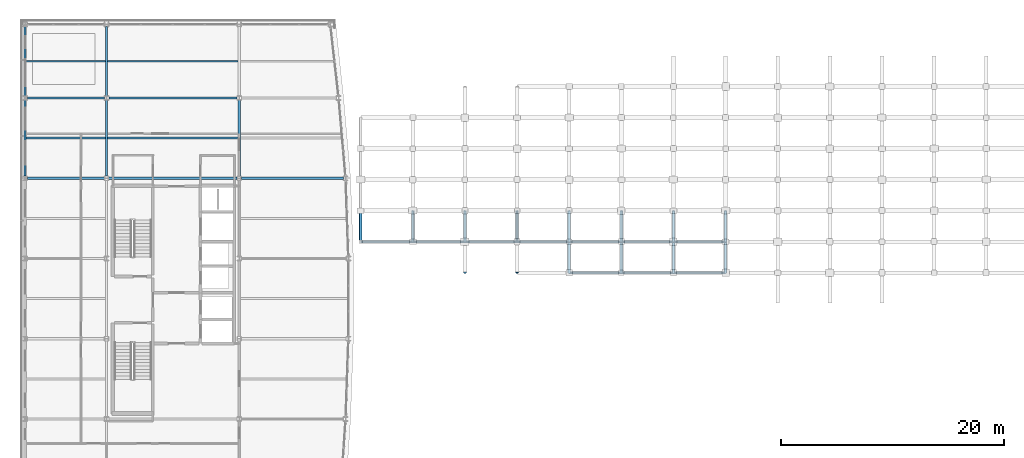
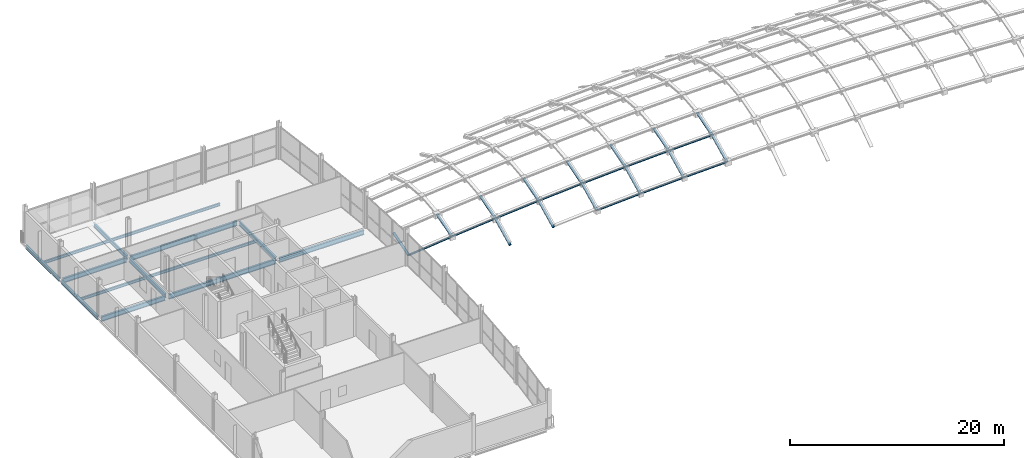
# One storey, part 11 of 36: 28 beams, 10 members.
"""IFC4 building model written with IfcOpenShell, lengths in metres."""

from ifc_helpers import new_model, si_unit, direction, frame, origin, origin_2d, place, context, subcontext, project, spatial, hollow_circle, i_section, extrude, material, material_profile, profile_set, type_object, element, save


model = new_model("IFC4")

# Units and contexts
model_context = context("Model", 3, precision=1e-05, world=origin(), true_north=direction((0.0, 1.0)))
body_context = subcontext(model_context, "Body", "Model", "MODEL_VIEW")
ifc_project = project(units=[si_unit("LENGTHUNIT", "METRE"), si_unit("AREAUNIT", "SQUARE_METRE"), si_unit("VOLUMEUNIT", "CUBIC_METRE"), si_unit("PLANEANGLEUNIT", "RADIAN"), si_unit("MASSUNIT", "GRAM", prefix="KILO")], contexts=[model_context])

# Site, building, storey
site_placement = place(None, origin())
site = spatial("IfcSite", under=ifc_project, at=site_placement, CompositionType="ELEMENT")
building_placement = place(site_placement, origin())
building = spatial("IfcBuilding", under=site, at=building_placement, Name="Quillay Park Conservatory", CompositionType="ELEMENT")
storey_placement = place(building_placement, frame((0.0, 0.0, 18.300048828125)))
storey = spatial("IfcBuildingStorey", under=building, at=storey_placement, Name="L04", CompositionType="ELEMENT", Elevation=18.300048828125)

# Beams
ifc_material_1 = material(Name="Steel ASTM A992 Grade 50", Category="steel")
ifc_material_profile_1 = material_profile(ifc_material_1, i_section(OverallWidth=0.166015625, OverallDepth=0.31298828125, WebThickness=0.006591796875, FlangeThickness=0.01123046875, FilletRadius=0.010009765625, at=origin_2d()), Name="W310x45")
ifc_profile_set_1 = profile_set([ifc_material_profile_1], Name="Steel ASTM A992 Grade 50")
beam_type_1 = type_object("IfcBeamType", Name="COMPOSITE FLOOR JOIST W310 X45", PredefinedType="JOIST", material=ifc_profile_set_1)
beam_1_placement = place(storey_placement, frame((0.639892578125, 103.199951171875, -0.3564453125), z_axis=(1.0, 0.0, 0.0), x_axis=(0.0, 1.0, 0.0)))
element("IfcBeam", 1, at=beam_1_placement, inside=storey, type_object=beam_type_1, Name="L04 beam BM-J-0370", PredefinedType="JOIST", context=body_context, shape_type="SweptSolid", body=[
    extrude(i_section(OverallWidth=0.166015625, OverallDepth=0.31298828125, WebThickness=0.006591796875, FlangeThickness=0.01123046875, FilletRadius=0.010009765625, at=origin_2d()), origin(), (0.0, 0.0, 1.0), 7.114013671875),
])
beam_2_placement = place(storey_placement, frame((7.946044921875, 103.199951171875, -0.3564453125), z_axis=(1.0, 0.0, 0.0), x_axis=(0.0, 1.0, 0.0)))
element("IfcBeam", 2, at=beam_2_placement, inside=storey, type_object=beam_type_1, Name="L04 beam BM-J-0372", PredefinedType="JOIST", context=body_context, shape_type="SweptSolid", body=[
    extrude(i_section(OverallWidth=0.166015625, OverallDepth=0.31298828125, WebThickness=0.006591796875, FlangeThickness=0.01123046875, FilletRadius=0.010009765625, at=origin_2d()), origin(), (0.0, 0.0, 1.0), 11.7080078125),
])
beam_3_placement = place(storey_placement, frame((0.639892578125, 110.10009765625, -0.3564453125), z_axis=(1.0, 0.0, 0.0), x_axis=(0.0, 1.0, 0.0)))
element("IfcBeam", 3, at=beam_3_placement, inside=storey, type_object=beam_type_1, Name="L04 beam BM-J-0377", PredefinedType="JOIST", context=body_context, shape_type="SweptSolid", body=[
    extrude(i_section(OverallWidth=0.166015625, OverallDepth=0.31298828125, WebThickness=0.006591796875, FlangeThickness=0.01123046875, FilletRadius=0.010009765625, at=origin_2d()), origin(), (0.0, 0.0, 1.0), 7.114013671875),
])
beam_4_placement = place(storey_placement, frame((7.946044921875, 110.10009765625, -0.3564453125), z_axis=(1.0, 0.0, 0.0), x_axis=(0.0, 1.0, 0.0)))
element("IfcBeam", 4, at=beam_4_placement, inside=storey, type_object=beam_type_1, Name="L04 beam BM-J-0379", PredefinedType="JOIST", context=body_context, shape_type="SweptSolid", body=[
    extrude(i_section(OverallWidth=0.166015625, OverallDepth=0.31298828125, WebThickness=0.006591796875, FlangeThickness=0.01123046875, FilletRadius=0.010009765625, at=origin_2d()), origin(), (0.0, 0.0, 1.0), 11.7080078125),
])
ifc_material_2 = material(Name="Steel S355J2H", Category="steel")
ifc_material_profile_2 = material_profile(ifc_material_2, hollow_circle(Radius=0.136474609375, WallThickness=0.012451171875, at=origin_2d()), Name="CHS273x12.5")
ifc_profile_set_2 = profile_set([ifc_material_profile_2], Name="Steel S355J2H")
beam_type_2 = type_object("IfcBeamType", Name="GRIDSHELL ARCH BEAM CHS273", PredefinedType="USERDEFINED", material=ifc_profile_set_2)
for number, where, z_axis, x_axis, name in (
    (5, (30.64990234375, 93.905029296875, -0.20751953125), (0.0, 0.958151638199, 0.286261136406), (-1.0, 0.0, 0.0), "Gridshell member GS-ARCH-00-03"),
    (6, (35.327880859375, 93.905029296875, 0.28857421875), (0.0, 0.958151638199, 0.286261136406), (-1.0, 0.0, 0.0), "Gridshell member GS-ARCH-01-03"),
):
    element("IfcBeam", number, at=place(storey_placement, frame(where, z_axis=z_axis, x_axis=x_axis)), inside=storey, type_object=beam_type_2, Name=name, ObjectType="GRIDSHELL ARCH BEAM", PredefinedType="USERDEFINED", context=body_context, shape_type="SweptSolid", body=[
        extrude(hollow_circle(Radius=0.136474609375, WallThickness=0.012451171875, at=origin_2d()), origin(), (0.0, 0.0, 1.0), 2.906494140625),
    ])
beam_5_placement = place(storey_placement, frame((40.005615234375, 91.1201171875, -0.64501953125), z_axis=(0.0, 0.897163004175, 0.441699608262), x_axis=(-1.0, 0.0, 0.0)))
element("IfcBeam", 7, at=beam_5_placement, inside=storey, type_object=beam_type_2, Name="Gridshell member GS-ARCH-02-02", ObjectType="GRIDSHELL ARCH BEAM", PredefinedType="USERDEFINED", context=body_context, shape_type="SweptSolid", body=[
    extrude(hollow_circle(Radius=0.136474609375, WallThickness=0.012451171875, at=origin_2d()), origin(), (0.0, 0.0, 1.0), 3.104248046875),
])
beam_6_placement = place(storey_placement, frame((40.005615234375, 93.905029296875, 0.72607421875), z_axis=(0.0, 0.958151638199, 0.286261136406), x_axis=(-1.0, 0.0, 0.0)))
element("IfcBeam", 8, at=beam_6_placement, inside=storey, type_object=beam_type_2, Name="Gridshell member GS-ARCH-02-03", ObjectType="GRIDSHELL ARCH BEAM", PredefinedType="USERDEFINED", context=body_context, shape_type="SweptSolid", body=[
    extrude(hollow_circle(Radius=0.136474609375, WallThickness=0.012451171875, at=origin_2d()), origin(), (0.0, 0.0, 1.0), 2.906494140625),
])
beam_7_placement = place(storey_placement, frame((44.683349609375, 91.1201171875, -0.26611328125), z_axis=(0.0, 0.897163004175, 0.441699608262), x_axis=(-1.0, 0.0, 0.0)))
element("IfcBeam", 9, at=beam_7_placement, inside=storey, type_object=beam_type_2, Name="Gridshell member GS-ARCH-03-02", ObjectType="GRIDSHELL ARCH BEAM", PredefinedType="USERDEFINED", context=body_context, shape_type="SweptSolid", body=[
    extrude(hollow_circle(Radius=0.136474609375, WallThickness=0.012451171875, at=origin_2d()), origin(), (0.0, 0.0, 1.0), 3.104248046875),
])
beam_8_placement = place(storey_placement, frame((44.683349609375, 93.905029296875, 1.10498046875), z_axis=(0.0, 0.958151638199, 0.286261136406), x_axis=(-1.0, 0.0, 0.0)))
element("IfcBeam", 10, at=beam_8_placement, inside=storey, type_object=beam_type_2, Name="Gridshell member GS-ARCH-03-03", ObjectType="GRIDSHELL ARCH BEAM", PredefinedType="USERDEFINED", context=body_context, shape_type="SweptSolid", body=[
    extrude(hollow_circle(Radius=0.136474609375, WallThickness=0.012451171875, at=origin_2d()), origin(), (0.0, 0.0, 1.0), 2.906494140625),
])
beam_9_placement = place(storey_placement, frame((49.361083984375, 91.1201171875, 0.05419921875), z_axis=(0.0, 0.897163004175, 0.441699608262), x_axis=(-1.0, 0.0, 0.0)))
element("IfcBeam", 11, at=beam_9_placement, inside=storey, type_object=beam_type_2, Name="Gridshell member GS-ARCH-04-02", ObjectType="GRIDSHELL ARCH BEAM", PredefinedType="USERDEFINED", context=body_context, shape_type="SweptSolid", body=[
    extrude(hollow_circle(Radius=0.136474609375, WallThickness=0.012451171875, at=origin_2d()), origin(), (0.0, 0.0, 1.0), 3.104248046875),
])
beam_10_placement = place(storey_placement, frame((49.361083984375, 93.905029296875, 1.42529296875), z_axis=(0.0, 0.958151638199, 0.286261136406), x_axis=(-1.0, 0.0, 0.0)))
element("IfcBeam", 12, at=beam_10_placement, inside=storey, type_object=beam_type_2, Name="Gridshell member GS-ARCH-04-03", ObjectType="GRIDSHELL ARCH BEAM", PredefinedType="USERDEFINED", context=body_context, shape_type="SweptSolid", body=[
    extrude(hollow_circle(Radius=0.136474609375, WallThickness=0.012451171875, at=origin_2d()), origin(), (0.0, 0.0, 1.0), 2.906494140625),
])
beam_11_placement = place(storey_placement, frame((54.038818359375, 91.1201171875, 0.31591796875), z_axis=(0.0, 0.897163004175, 0.441699608262), x_axis=(-1.0, 0.0, 0.0)))
element("IfcBeam", 13, at=beam_11_placement, inside=storey, type_object=beam_type_2, Name="Gridshell member GS-ARCH-05-02", ObjectType="GRIDSHELL ARCH BEAM", PredefinedType="USERDEFINED", context=body_context, shape_type="SweptSolid", body=[
    extrude(hollow_circle(Radius=0.136474609375, WallThickness=0.012451171875, at=origin_2d()), origin(), (0.0, 0.0, 1.0), 3.104248046875),
])
beam_12_placement = place(storey_placement, frame((54.038818359375, 93.905029296875, 1.68701171875), z_axis=(0.0, 0.958151638199, 0.286261136406), x_axis=(-1.0, 0.0, 0.0)))
element("IfcBeam", 14, at=beam_12_placement, inside=storey, type_object=beam_type_2, Name="Gridshell member GS-ARCH-05-03", ObjectType="GRIDSHELL ARCH BEAM", PredefinedType="USERDEFINED", context=body_context, shape_type="SweptSolid", body=[
    extrude(hollow_circle(Radius=0.136474609375, WallThickness=0.012451171875, at=origin_2d()), origin(), (0.0, 0.0, 1.0), 2.906494140625),
])
beam_13_placement = place(storey_placement, frame((58.716796875, 91.1201171875, 0.51904296875), z_axis=(0.0, 0.897163004175, 0.441699608262), x_axis=(-1.0, 0.0, 0.0)))
element("IfcBeam", 15, at=beam_13_placement, inside=storey, type_object=beam_type_2, Name="Gridshell member GS-ARCH-06-02", ObjectType="GRIDSHELL ARCH BEAM", PredefinedType="USERDEFINED", context=body_context, shape_type="SweptSolid", body=[
    extrude(hollow_circle(Radius=0.136474609375, WallThickness=0.012451171875, at=origin_2d()), origin(), (0.0, 0.0, 1.0), 3.104248046875),
])
beam_14_placement = place(storey_placement, frame((58.716796875, 93.905029296875, 1.89013671875), z_axis=(0.0, 0.958151638199, 0.286261136406), x_axis=(-1.0, 0.0, 0.0)))
element("IfcBeam", 16, at=beam_14_placement, inside=storey, type_object=beam_type_2, Name="Gridshell member GS-ARCH-06-03", ObjectType="GRIDSHELL ARCH BEAM", PredefinedType="USERDEFINED", context=body_context, shape_type="SweptSolid", body=[
    extrude(hollow_circle(Radius=0.136474609375, WallThickness=0.012451171875, at=origin_2d()), origin(), (0.0, 0.0, 1.0), 2.906494140625),
])
beam_15_placement = place(storey_placement, frame((63.394287109375, 91.1201171875, 0.66748046875), z_axis=(0.0, 0.897163004175, 0.441699608262), x_axis=(-1.0, 0.0, 0.0)))
element("IfcBeam", 17, at=beam_15_placement, inside=storey, type_object=beam_type_2, Name="Gridshell member GS-ARCH-07-02", ObjectType="GRIDSHELL ARCH BEAM", PredefinedType="USERDEFINED", context=body_context, shape_type="SweptSolid", body=[
    extrude(hollow_circle(Radius=0.136474609375, WallThickness=0.012451171875, at=origin_2d()), origin(), (0.0, 0.0, 1.0), 3.104248046875),
])
beam_16_placement = place(storey_placement, frame((63.394287109375, 93.905029296875, 2.03857421875), z_axis=(0.0, 0.958151638199, 0.286261136406), x_axis=(-1.0, 0.0, 0.0)))
element("IfcBeam", 18, at=beam_16_placement, inside=storey, type_object=beam_type_2, Name="Gridshell member GS-ARCH-07-03", ObjectType="GRIDSHELL ARCH BEAM", PredefinedType="USERDEFINED", context=body_context, shape_type="SweptSolid", body=[
    extrude(hollow_circle(Radius=0.136474609375, WallThickness=0.012451171875, at=origin_2d()), origin(), (0.0, 0.0, 1.0), 2.906494140625),
])

# Members
ifc_material_3 = material(Name="Steel S355J2H", Category="steel")
ifc_material_profile_3 = material_profile(ifc_material_3, hollow_circle(Radius=0.109619140625, WallThickness=0.010009765625, at=origin_2d()), Name="CHS219.1x10")
ifc_profile_set_3 = profile_set([ifc_material_profile_3], Name="Steel S355J2H")
member_type = type_object("IfcMemberType", Name="GRIDSHELL ARCH RIB CHS219", PredefinedType="USERDEFINED", material=ifc_profile_set_3)
member_1_placement = place(storey_placement, frame((49.361083984375, 91.1201171875, 0.05419921875), z_axis=(0.998438469785, 0.0, 0.055862528163), x_axis=(0.0, 1.0, 0.0)))
element("IfcMember", 19, at=member_1_placement, inside=storey, type_object=member_type, Name="Gridshell member GS-RIB-04-02", ObjectType="GRIDSHELL ARCH RIB", PredefinedType="USERDEFINED", context=body_context, shape_type="SweptSolid", body=[
    extrude(hollow_circle(Radius=0.109619140625, WallThickness=0.010009765625, at=origin_2d()), origin(), (0.0, 0.0, 1.0), 4.68505859375),
])
member_2_placement = place(storey_placement, frame((54.038818359375, 91.1201171875, 0.31591796875), z_axis=(0.999058616198, 0.0, 0.043380656995), x_axis=(0.0, 1.0, 0.0)))
element("IfcMember", 20, at=member_2_placement, inside=storey, type_object=member_type, Name="Gridshell member GS-RIB-05-02", ObjectType="GRIDSHELL ARCH RIB", PredefinedType="USERDEFINED", context=body_context, shape_type="SweptSolid", body=[
    extrude(hollow_circle(Radius=0.109619140625, WallThickness=0.010009765625, at=origin_2d()), origin(), (0.0, 0.0, 1.0), 4.682373046875),
])
member_3_placement = place(storey_placement, frame((58.716796875, 91.1201171875, 0.51904296875), z_axis=(0.99949684289, 0.0, 0.031718465498), x_axis=(0.0, 1.0, 0.0)))
element("IfcMember", 21, at=member_3_placement, inside=storey, type_object=member_type, Name="Gridshell member GS-RIB-06-02", ObjectType="GRIDSHELL ARCH RIB", PredefinedType="USERDEFINED", context=body_context, shape_type="SweptSolid", body=[
    extrude(hollow_circle(Radius=0.109619140625, WallThickness=0.010009765625, at=origin_2d()), origin(), (0.0, 0.0, 1.0), 4.679931640625),
])
member_4_placement = place(storey_placement, frame((30.64990234375, 93.905029296875, -0.20751953125), z_axis=(0.994423821707, 0.0, 0.105457398137), x_axis=(0.0, 1.0, 0.0)))
element("IfcMember", 22, at=member_4_placement, inside=storey, type_object=member_type, Name="Gridshell member GS-RIB-00-03", ObjectType="GRIDSHELL ARCH RIB", PredefinedType="USERDEFINED", context=body_context, shape_type="SweptSolid", body=[
    extrude(hollow_circle(Radius=0.109619140625, WallThickness=0.010009765625, at=origin_2d()), origin(), (0.0, 0.0, 1.0), 4.7041015625),
])
member_5_placement = place(storey_placement, frame((35.327880859375, 93.905029296875, 0.28857421875), z_axis=(0.995654726514, 0.0, 0.093121778179), x_axis=(0.0, 1.0, 0.0)))
element("IfcMember", 23, at=member_5_placement, inside=storey, type_object=member_type, Name="Gridshell member GS-RIB-01-03", ObjectType="GRIDSHELL ARCH RIB", PredefinedType="USERDEFINED", context=body_context, shape_type="SweptSolid", body=[
    extrude(hollow_circle(Radius=0.109619140625, WallThickness=0.010009765625, at=origin_2d()), origin(), (0.0, 0.0, 1.0), 4.6982421875),
])
member_6_placement = place(storey_placement, frame((40.005615234375, 93.905029296875, 0.72607421875), z_axis=(0.996735387311, 0.0, 0.080737647239), x_axis=(0.0, 1.0, 0.0)))
element("IfcMember", 24, at=member_6_placement, inside=storey, type_object=member_type, Name="Gridshell member GS-RIB-02-03", ObjectType="GRIDSHELL ARCH RIB", PredefinedType="USERDEFINED", context=body_context, shape_type="SweptSolid", body=[
    extrude(hollow_circle(Radius=0.109619140625, WallThickness=0.010009765625, at=origin_2d()), origin(), (0.0, 0.0, 1.0), 4.693115234375),
])
member_7_placement = place(storey_placement, frame((44.683349609375, 93.905029296875, 1.10498046875), z_axis=(0.997663732084, 0.0, 0.068316013387), x_axis=(0.0, 1.0, 0.0)))
element("IfcMember", 25, at=member_7_placement, inside=storey, type_object=member_type, Name="Gridshell member GS-RIB-03-03", ObjectType="GRIDSHELL ARCH RIB", PredefinedType="USERDEFINED", context=body_context, shape_type="SweptSolid", body=[
    extrude(hollow_circle(Radius=0.109619140625, WallThickness=0.010009765625, at=origin_2d()), origin(), (0.0, 0.0, 1.0), 4.688720703125),
])
member_8_placement = place(storey_placement, frame((49.361083984375, 93.905029296875, 1.42529296875), z_axis=(0.998438469785, 0.0, 0.055862528163), x_axis=(0.0, 1.0, 0.0)))
element("IfcMember", 26, at=member_8_placement, inside=storey, type_object=member_type, Name="Gridshell member GS-RIB-04-03", ObjectType="GRIDSHELL ARCH RIB", PredefinedType="USERDEFINED", context=body_context, shape_type="SweptSolid", body=[
    extrude(hollow_circle(Radius=0.109619140625, WallThickness=0.010009765625, at=origin_2d()), origin(), (0.0, 0.0, 1.0), 4.68505859375),
])
member_9_placement = place(storey_placement, frame((54.038818359375, 93.905029296875, 1.68701171875), z_axis=(0.999058616198, 0.0, 0.043380656995), x_axis=(0.0, 1.0, 0.0)))
element("IfcMember", 27, at=member_9_placement, inside=storey, type_object=member_type, Name="Gridshell member GS-RIB-05-03", ObjectType="GRIDSHELL ARCH RIB", PredefinedType="USERDEFINED", context=body_context, shape_type="SweptSolid", body=[
    extrude(hollow_circle(Radius=0.109619140625, WallThickness=0.010009765625, at=origin_2d()), origin(), (0.0, 0.0, 1.0), 4.682373046875),
])
member_10_placement = place(storey_placement, frame((58.716796875, 93.905029296875, 1.89013671875), z_axis=(0.99949684289, 0.0, 0.031718465498), x_axis=(0.0, 1.0, 0.0)))
element("IfcMember", 28, at=member_10_placement, inside=storey, type_object=member_type, Name="Gridshell member GS-RIB-06-03", ObjectType="GRIDSHELL ARCH RIB", PredefinedType="USERDEFINED", context=body_context, shape_type="SweptSolid", body=[
    extrude(hollow_circle(Radius=0.109619140625, WallThickness=0.010009765625, at=origin_2d()), origin(), (0.0, 0.0, 1.0), 4.679931640625),
])

# Beams
ifc_material_4 = material(Name="Steel ASTM A992 Grade 50", Category="steel")
ifc_material_profile_4 = material_profile(ifc_material_4, i_section(OverallWidth=0.179931640625, OverallDepth=0.4130859375, WebThickness=0.009765625, FlangeThickness=0.01611328125, FilletRadius=0.011962890625, at=origin_2d()), Name="W410x74")
ifc_profile_set_4 = profile_set([ifc_material_profile_4], Name="Steel ASTM A992 Grade 50")
beam_type_3 = type_object("IfcBeamType", Name="PERIMETER SPANDREL BEAM W410 X74", PredefinedType="SPANDREL", material=ifc_profile_set_4)
beam_17_placement = place(storey_placement, frame((0.550048828125, 99.7900390625, -0.406494140625), z_axis=(0.0, 1.0, 0.0), x_axis=(-1.0, 0.0, 0.0)))
element("IfcBeam", 29, at=beam_17_placement, inside=storey, type_object=beam_type_3, Name="L04 beam BM-SPW-0366", PredefinedType="SPANDREL", context=body_context, shape_type="SweptSolid", body=[
    extrude(i_section(OverallWidth=0.179931640625, OverallDepth=0.4130859375, WebThickness=0.009765625, FlangeThickness=0.01611328125, FilletRadius=0.011962890625, at=origin_2d()), origin(), (0.0, 0.0, 1.0), 6.820068359375),
])
beam_18_placement = place(storey_placement, frame((0.550048828125, 106.989990234375, -0.406494140625), z_axis=(0.0, 1.0, 0.0), x_axis=(-1.0, 0.0, 0.0)))
element("IfcBeam", 30, at=beam_18_placement, inside=storey, type_object=beam_type_3, Name="L04 beam BM-SPW-0373", PredefinedType="SPANDREL", context=body_context, shape_type="SweptSolid", body=[
    extrude(i_section(OverallWidth=0.179931640625, OverallDepth=0.4130859375, WebThickness=0.009765625, FlangeThickness=0.01611328125, FilletRadius=0.011962890625, at=origin_2d()), origin(), (0.0, 0.0, 1.0), 6.219970703125),
])
ifc_material_5 = material(Name="Steel ASTM A992 Grade 50", Category="steel")
ifc_material_profile_5 = material_profile(ifc_material_5, i_section(OverallWidth=0.19189453125, OverallDepth=0.462890625, WebThickness=0.010498046875, FlangeThickness=0.017578125, FilletRadius=0.012939453125, at=origin_2d()), Name="W460x89")
ifc_profile_set_5 = profile_set([ifc_material_profile_5], Name="Steel ASTM A992 Grade 50")
beam_type_4 = type_object("IfcBeamType", Name="PRIMARY FLOOR GIRDER W460 X89", PredefinedType="BEAM", material=ifc_profile_set_5)
for number, where, z_axis, x_axis, name in (
    (31, (7.85009765625, 99.797607421875, -0.431640625), (0.0, 1.0, 0.0), (-1.0, 0.0, 0.0), "L04 beam BM-GNS-0368"),
    (32, (19.75, 99.797607421875, -0.431640625), (0.0, 1.0, 0.0), (-1.0, 0.0, 0.0), "L04 beam BM-GNS-0369"),
):
    element("IfcBeam", number, at=place(storey_placement, frame(where, z_axis=z_axis, x_axis=x_axis)), inside=storey, type_object=beam_type_4, Name=name, PredefinedType="BEAM", context=body_context, shape_type="SweptSolid", body=[
        extrude(i_section(OverallWidth=0.19189453125, OverallDepth=0.462890625, WebThickness=0.010498046875, FlangeThickness=0.017578125, FilletRadius=0.012939453125, at=origin_2d()), origin(), (0.0, 0.0, 1.0), 6.8125),
    ])
beam_19_placement = place(storey_placement, frame((7.85009765625, 106.989990234375, -0.431640625), z_axis=(0.0, 1.0, 0.0), x_axis=(-1.0, 0.0, 0.0)))
element("IfcBeam", 33, at=beam_19_placement, inside=storey, type_object=beam_type_4, Name="L04 beam BM-GNS-0375", PredefinedType="BEAM", context=body_context, shape_type="SweptSolid", body=[
    extrude(i_section(OverallWidth=0.19189453125, OverallDepth=0.462890625, WebThickness=0.010498046875, FlangeThickness=0.017578125, FilletRadius=0.012939453125, at=origin_2d()), origin(), (0.0, 0.0, 1.0), 6.21240234375),
])
ifc_material_6 = material(Name="Steel ASTM A992 Grade 50", Category="steel")
ifc_material_profile_6 = material_profile(ifc_material_6, i_section(OverallWidth=0.2109375, OverallDepth=0.5390625, WebThickness=0.01171875, FlangeThickness=0.018798828125, FilletRadius=0.013916015625, at=origin_2d()), Name="W530x109")
ifc_profile_set_6 = profile_set([ifc_material_profile_6], Name="Steel ASTM A992 Grade 50")
beam_type_5 = type_object("IfcBeamType", Name="PRIMARY FLOOR GIRDER W530 X109", PredefinedType="BEAM", material=ifc_profile_set_6)
beam_20_placement = place(storey_placement, frame((0.74755859375, 99.60009765625, -0.469482421875), z_axis=(1.0, 0.0, 0.0), x_axis=(0.0, 1.0, 0.0)))
element("IfcBeam", 34, at=beam_20_placement, inside=storey, type_object=beam_type_5, Name="L04 beam BM-G-0325", PredefinedType="BEAM", context=body_context, shape_type="SweptSolid", body=[
    extrude(i_section(OverallWidth=0.2109375, OverallDepth=0.5390625, WebThickness=0.01171875, FlangeThickness=0.018798828125, FilletRadius=0.013916015625, at=origin_2d()), origin(), (0.0, 0.0, 1.0), 6.912353515625),
])
beam_21_placement = place(storey_placement, frame((8.0400390625, 99.60009765625, -0.469482421875), z_axis=(1.0, 0.0, 0.0), x_axis=(0.0, 1.0, 0.0)))
element("IfcBeam", 35, at=beam_21_placement, inside=storey, type_object=beam_type_5, Name="L04 beam BM-G-0326", PredefinedType="BEAM", context=body_context, shape_type="SweptSolid", body=[
    extrude(i_section(OverallWidth=0.2109375, OverallDepth=0.5390625, WebThickness=0.01171875, FlangeThickness=0.018798828125, FilletRadius=0.013916015625, at=origin_2d()), origin(), (0.0, 0.0, 1.0), 11.52001953125),
])
beam_22_placement = place(storey_placement, frame((19.93994140625, 99.60009765625, -0.469482421875), z_axis=(1.0, 0.0, 0.0), x_axis=(0.0, 1.0, 0.0)))
element("IfcBeam", 36, at=beam_22_placement, inside=storey, type_object=beam_type_5, Name="L04 beam BM-G-0327", PredefinedType="BEAM", context=body_context, shape_type="SweptSolid", body=[
    extrude(i_section(OverallWidth=0.2109375, OverallDepth=0.5390625, WebThickness=0.01171875, FlangeThickness=0.018798828125, FilletRadius=0.013916015625, at=origin_2d()), origin(), (0.0, 0.0, 1.0), 9.16259765625),
])
beam_23_placement = place(storey_placement, frame((0.74755859375, 106.800048828125, -0.469482421875), z_axis=(1.0, 0.0, 0.0), x_axis=(0.0, 1.0, 0.0)))
element("IfcBeam", 37, at=beam_23_placement, inside=storey, type_object=beam_type_5, Name="L04 beam BM-G-0328", PredefinedType="BEAM", context=body_context, shape_type="SweptSolid", body=[
    extrude(i_section(OverallWidth=0.2109375, OverallDepth=0.5390625, WebThickness=0.01171875, FlangeThickness=0.018798828125, FilletRadius=0.013916015625, at=origin_2d()), origin(), (0.0, 0.0, 1.0), 6.905029296875),
])
beam_24_placement = place(storey_placement, frame((8.047607421875, 106.800048828125, -0.469482421875), z_axis=(1.0, 0.0, 0.0), x_axis=(0.0, 1.0, 0.0)))
element("IfcBeam", 38, at=beam_24_placement, inside=storey, type_object=beam_type_5, Name="L04 beam BM-G-0329", PredefinedType="BEAM", context=body_context, shape_type="SweptSolid", body=[
    extrude(i_section(OverallWidth=0.2109375, OverallDepth=0.5390625, WebThickness=0.01171875, FlangeThickness=0.018798828125, FilletRadius=0.013916015625, at=origin_2d()), origin(), (0.0, 0.0, 1.0), 11.5048828125),
])

save(model, "model.ifc")
